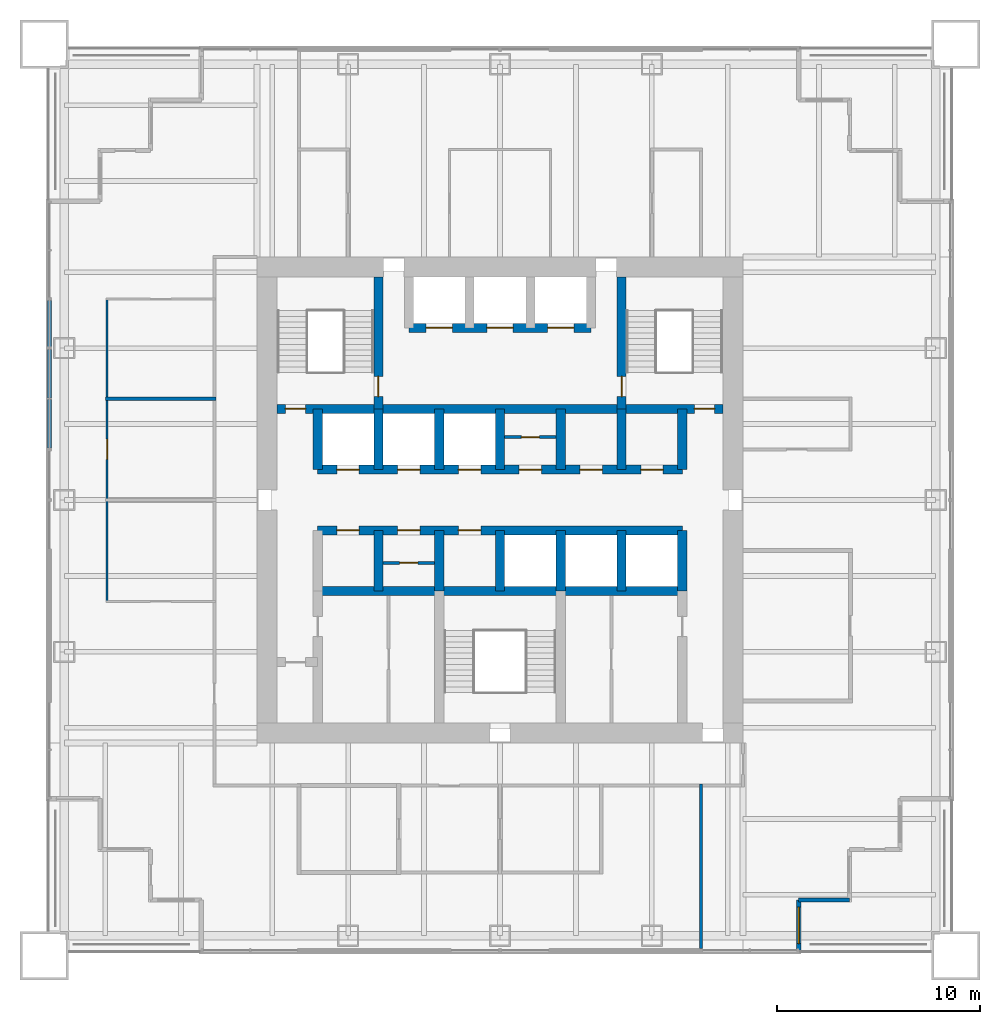
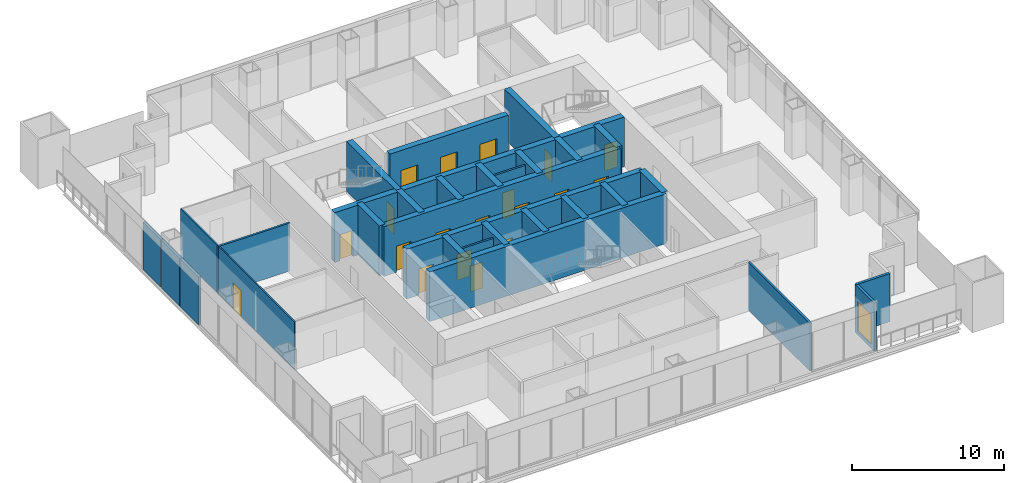
# One storey, part 9 of 13: 30 walls, 19 doors, 1 window, 20 openings.
"""IFC4 building model written with IfcOpenShell, lengths in metres."""

from ifc_helpers import new_model, si_unit, direction, frame, frame_2d, origin, place, context, subcontext, project, spatial, rectangle, extrude, material, layer, layer_set, type_object, element, fill, save


model = new_model("IFC4")

# Units and contexts
model_context = context("Model", 3, precision=1e-05, world=origin(), true_north=direction((0.0, 1.0)))
body_context = subcontext(model_context, "Body", "Model", "MODEL_VIEW")
ifc_project = project(units=[si_unit("LENGTHUNIT", "METRE"), si_unit("AREAUNIT", "SQUARE_METRE"), si_unit("VOLUMEUNIT", "CUBIC_METRE"), si_unit("PLANEANGLEUNIT", "RADIAN"), si_unit("MASSUNIT", "GRAM", prefix="KILO")], contexts=[model_context])

# Site, building, storey
site_placement = place(None, origin())
site = spatial("IfcSite", under=ifc_project, at=site_placement, CompositionType="ELEMENT")
building_placement = place(site_placement, origin())
building = spatial("IfcBuilding", under=site, at=building_placement, Name="Tarangal Relay Tower", CompositionType="ELEMENT")
storey_placement = place(building_placement, frame((0.0, 0.0, 237.89990234375)))
storey = spatial("IfcBuildingStorey", under=building, at=storey_placement, Name="L51", CompositionType="ELEMENT", Elevation=237.89990234375)

# Wall, openings, doors
ifc_material_1 = material(Name="Concrete fc' 60 MPa", Category="concrete")
ifc_layer_1 = layer(ifc_material_1, 0.449951171875)
ifc_layer_set_1 = layer_set([ifc_layer_1], Name="Core inner wall 450")
wall_type_1 = type_object("IfcWallType", Name="Core inner wall 450", PredefinedType="SHEAR", material=ifc_layer_set_1)
wall_1_placement = place(storey_placement, frame((-11.0, 4.5, 0.0), z_axis=(0.0, 0.0, 1.0), x_axis=(1.0, 0.0, 0.0)))
wall_1 = element("IfcWall", 1, at=wall_1_placement, inside=storey, type_object=wall_type_1, Name="Core wall Y45 L51", PredefinedType="SHEAR", context=body_context, shape_type="SweptSolid", body=[
    extrude(rectangle(XDim=22.0, YDim=0.449951171875, at=frame_2d((11.0, 0.0))), origin(), (0.0, 0.0, 1.0), 4.0),
])
opening_1_placement = place(wall_1_placement, frame((0.39990234375, 0.0, 0.0)))
opening_1 = element("IfcOpeningElement", 2, at=opening_1_placement, cuts=wall_1, Name="Opening FD1", PredefinedType="OPENING", context=body_context, shape_type="SweptSolid", body=[
    extrude(rectangle(XDim=1.0, YDim=2.10009765625, at=frame_2d((0.5, 1.050048828125))), frame((0.0, 0.23486328125, 0.0), z_axis=(0.0, -1.0, 0.0), x_axis=(1.0, 0.0, 0.0)), (0.0, 0.0, 1.0), 0.469970703125),
])
opening_2_placement = place(wall_1_placement, frame((20.60009765625, 0.0, 0.0)))
opening_2 = element("IfcOpeningElement", 3, at=opening_2_placement, cuts=wall_1, Name="Opening FD1", PredefinedType="OPENING", context=body_context, shape_type="SweptSolid", body=[
    extrude(rectangle(XDim=1.0, YDim=2.10009765625, at=frame_2d((0.5, 1.050048828125))), frame((0.0, 0.23486328125, 0.0), z_axis=(0.0, -1.0, 0.0), x_axis=(1.0, 0.0, 0.0)), (0.0, 0.0, 1.0), 0.469970703125),
])
ifc_material_2 = material(Name="Steel door with hardwood frame", Category="steel")
door_type_1 = type_object("IfcDoorType", Name="Fire door 1000 x 2100", OperationType="SINGLE_SWING_LEFT", PredefinedType="DOOR", material=ifc_material_2)
door_1_placement = place(opening_1_placement, origin())
door_1 = element("IfcDoor", 4, at=door_1_placement, inside=storey, type_object=door_type_1, Name="Stair ST-A door from corridor L51", OperationType="SINGLE_SWING_LEFT", OverallHeight=2.10009765625, OverallWidth=1.0, PredefinedType="DOOR", context=body_context, shape_type="SweptSolid", body=[
    extrude(rectangle(XDim=1.0, YDim=2.10009765625, at=frame_2d((0.5, 1.050048828125))), frame((0.0, 0.02490234375, 0.0), z_axis=(0.0, -1.0, 0.0), x_axis=(1.0, 0.0, 0.0)), (0.0, 0.0, 1.0), 0.050048828125),
])
fill(opening_1, door_1)
door_2_placement = place(opening_2_placement, origin())
door_2 = element("IfcDoor", 5, at=door_2_placement, inside=storey, type_object=door_type_1, Name="Stair ST-B door from corridor L51", OperationType="SINGLE_SWING_LEFT", OverallHeight=2.10009765625, OverallWidth=1.0, PredefinedType="DOOR", context=body_context, shape_type="SweptSolid", body=[
    extrude(rectangle(XDim=1.0, YDim=2.10009765625, at=frame_2d((0.5, 1.050048828125))), frame((0.0, 0.02490234375, 0.0), z_axis=(0.0, -1.0, 0.0), x_axis=(1.0, 0.0, 0.0)), (0.0, 0.0, 1.0), 0.050048828125),
])
fill(opening_2, door_2)

wall_2_placement = place(storey_placement, frame((-9.0, 1.5, 0.0), z_axis=(0.0, 0.0, 1.0), x_axis=(1.0, 0.0, 0.0)))
wall_2 = element("IfcWall", 6, at=wall_2_placement, inside=storey, type_object=wall_type_1, Name="Core wall Y15 L51", PredefinedType="SHEAR", context=body_context, shape_type="SweptSolid", body=[
    extrude(rectangle(XDim=18.0, YDim=0.449951171875, at=frame_2d((9.0, 0.0))), origin(), (0.0, 0.0, 1.0), 4.0),
])
opening_3_placement = place(wall_2_placement, frame((0.949951171875, 0.0, 0.0)))
opening_3 = element("IfcOpeningElement", 7, at=opening_3_placement, cuts=wall_2, Name="Opening LD1", PredefinedType="OPENING", context=body_context, shape_type="SweptSolid", body=[
    extrude(rectangle(XDim=1.10009765625, YDim=2.10009765625, at=frame_2d((0.550048828125, 1.050048828125))), frame((0.0, 0.23486328125, 0.0), z_axis=(0.0, -1.0, 0.0), x_axis=(1.0, 0.0, 0.0)), (0.0, 0.0, 1.0), 0.469970703125),
])
opening_4_placement = place(wall_2_placement, frame((3.949951171875, 0.0, 0.0)))
opening_4 = element("IfcOpeningElement", 8, at=opening_4_placement, cuts=wall_2, Name="Opening LD1", PredefinedType="OPENING", context=body_context, shape_type="SweptSolid", body=[
    extrude(rectangle(XDim=1.10009765625, YDim=2.10009765625, at=frame_2d((0.550048828125, 1.050048828125))), frame((0.0, 0.23486328125, 0.0), z_axis=(0.0, -1.0, 0.0), x_axis=(1.0, 0.0, 0.0)), (0.0, 0.0, 1.0), 0.469970703125),
])
opening_5_placement = place(wall_2_placement, frame((6.949951171875, 0.0, 0.0)))
opening_5 = element("IfcOpeningElement", 9, at=opening_5_placement, cuts=wall_2, Name="Opening LD1", PredefinedType="OPENING", context=body_context, shape_type="SweptSolid", body=[
    extrude(rectangle(XDim=1.10009765625, YDim=2.10009765625, at=frame_2d((0.550048828125, 1.050048828125))), frame((0.0, 0.23486328125, 0.0), z_axis=(0.0, -1.0, 0.0), x_axis=(1.0, 0.0, 0.0)), (0.0, 0.0, 1.0), 0.469970703125),
])
opening_6_placement = place(wall_2_placement, frame((9.949951171875, 0.0, 0.0)))
opening_6 = element("IfcOpeningElement", 10, at=opening_6_placement, cuts=wall_2, Name="Opening D4", PredefinedType="OPENING", context=body_context, shape_type="SweptSolid", body=[
    extrude(rectangle(XDim=1.10009765625, YDim=2.10009765625, at=frame_2d((0.550048828125, 1.050048828125))), frame((0.0, 0.23486328125, 0.0), z_axis=(0.0, -1.0, 0.0), x_axis=(1.0, 0.0, 0.0)), (0.0, 0.0, 1.0), 0.469970703125),
])
opening_7_placement = place(wall_2_placement, frame((12.949951171875, 0.0, 0.0)))
opening_7 = element("IfcOpeningElement", 11, at=opening_7_placement, cuts=wall_2, Name="Opening D4", PredefinedType="OPENING", context=body_context, shape_type="SweptSolid", body=[
    extrude(rectangle(XDim=1.10009765625, YDim=2.10009765625, at=frame_2d((0.550048828125, 1.050048828125))), frame((0.0, 0.23486328125, 0.0), z_axis=(0.0, -1.0, 0.0), x_axis=(1.0, 0.0, 0.0)), (0.0, 0.0, 1.0), 0.469970703125),
])
opening_8_placement = place(wall_2_placement, frame((15.949951171875, 0.0, 0.0)))
opening_8 = element("IfcOpeningElement", 12, at=opening_8_placement, cuts=wall_2, Name="Opening D4", PredefinedType="OPENING", context=body_context, shape_type="SweptSolid", body=[
    extrude(rectangle(XDim=1.10009765625, YDim=2.10009765625, at=frame_2d((0.550048828125, 1.050048828125))), frame((0.0, 0.23486328125, 0.0), z_axis=(0.0, -1.0, 0.0), x_axis=(1.0, 0.0, 0.0)), (0.0, 0.0, 1.0), 0.469970703125),
])
door_type_2 = type_object("IfcDoorType", Name="Core room door 1100 x 2100", OperationType="SINGLE_SWING_RIGHT", PredefinedType="DOOR", material=ifc_material_2)
door_3_placement = place(opening_6_placement, origin())
door_3 = element("IfcDoor", 13, at=door_3_placement, inside=storey, type_object=door_type_2, Name="Door D4 to it room L51-T1", OperationType="SINGLE_SWING_RIGHT", OverallHeight=2.10009765625, OverallWidth=1.10009765625, PredefinedType="DOOR", context=body_context, shape_type="SweptSolid", body=[
    extrude(rectangle(XDim=1.10009765625, YDim=2.10009765625, at=frame_2d((0.550048828125, 1.050048828125))), frame((0.0, 0.02490234375, 0.0), z_axis=(0.0, -1.0, 0.0), x_axis=(1.0, 0.0, 0.0)), (0.0, 0.0, 1.0), 0.050048828125),
])
fill(opening_6, door_3)
door_4_placement = place(opening_7_placement, origin())
door_4 = element("IfcDoor", 14, at=door_4_placement, inside=storey, type_object=door_type_2, Name="Door D4 to cleaner's store L51-T2", OperationType="SINGLE_SWING_RIGHT", OverallHeight=2.10009765625, OverallWidth=1.10009765625, PredefinedType="DOOR", context=body_context, shape_type="SweptSolid", body=[
    extrude(rectangle(XDim=1.10009765625, YDim=2.10009765625, at=frame_2d((0.550048828125, 1.050048828125))), frame((0.0, 0.02490234375, 0.0), z_axis=(0.0, -1.0, 0.0), x_axis=(1.0, 0.0, 0.0)), (0.0, 0.0, 1.0), 0.050048828125),
])
fill(opening_7, door_4)
door_5_placement = place(opening_8_placement, origin())
door_5 = element("IfcDoor", 15, at=door_5_placement, inside=storey, type_object=door_type_2, Name="Door D4 to staff wc L51-T3", OperationType="SINGLE_SWING_RIGHT", OverallHeight=2.10009765625, OverallWidth=1.10009765625, PredefinedType="DOOR", context=body_context, shape_type="SweptSolid", body=[
    extrude(rectangle(XDim=1.10009765625, YDim=2.10009765625, at=frame_2d((0.550048828125, 1.050048828125))), frame((0.0, 0.02490234375, 0.0), z_axis=(0.0, -1.0, 0.0), x_axis=(1.0, 0.0, 0.0)), (0.0, 0.0, 1.0), 0.050048828125),
])
fill(opening_8, door_5)
door_type_3 = type_object("IfcDoorType", Name="Lift landing door 1100 x 2100", OperationType="SLIDING_TO_LEFT", PredefinedType="DOOR", material=ifc_material_2)
door_6_placement = place(opening_3_placement, origin())
door_6 = element("IfcDoor", 16, at=door_6_placement, inside=storey, type_object=door_type_3, Name="Lift OL1 landing door L51", OperationType="SLIDING_TO_LEFT", OverallHeight=2.10009765625, OverallWidth=1.10009765625, PredefinedType="DOOR", context=body_context, shape_type="SweptSolid", body=[
    extrude(rectangle(XDim=1.10009765625, YDim=2.10009765625, at=frame_2d((0.550048828125, 1.050048828125))), frame((0.0, 0.02490234375, 0.0), z_axis=(0.0, -1.0, 0.0), x_axis=(1.0, 0.0, 0.0)), (0.0, 0.0, 1.0), 0.050048828125),
])
fill(opening_3, door_6)
door_7_placement = place(opening_4_placement, origin())
door_7 = element("IfcDoor", 17, at=door_7_placement, inside=storey, type_object=door_type_3, Name="Lift OL2 landing door L51", OperationType="SLIDING_TO_LEFT", OverallHeight=2.10009765625, OverallWidth=1.10009765625, PredefinedType="DOOR", context=body_context, shape_type="SweptSolid", body=[
    extrude(rectangle(XDim=1.10009765625, YDim=2.10009765625, at=frame_2d((0.550048828125, 1.050048828125))), frame((0.0, 0.02490234375, 0.0), z_axis=(0.0, -1.0, 0.0), x_axis=(1.0, 0.0, 0.0)), (0.0, 0.0, 1.0), 0.050048828125),
])
fill(opening_4, door_7)
door_8_placement = place(opening_5_placement, origin())
door_8 = element("IfcDoor", 18, at=door_8_placement, inside=storey, type_object=door_type_3, Name="Lift OL3 landing door L51", OperationType="SLIDING_TO_LEFT", OverallHeight=2.10009765625, OverallWidth=1.10009765625, PredefinedType="DOOR", context=body_context, shape_type="SweptSolid", body=[
    extrude(rectangle(XDim=1.10009765625, YDim=2.10009765625, at=frame_2d((0.550048828125, 1.050048828125))), frame((0.0, 0.02490234375, 0.0), z_axis=(0.0, -1.0, 0.0), x_axis=(1.0, 0.0, 0.0)), (0.0, 0.0, 1.0), 0.050048828125),
])
fill(opening_5, door_8)

wall_3_placement = place(storey_placement, frame((-9.0, -1.5, 0.0), z_axis=(0.0, 0.0, 1.0), x_axis=(1.0, 0.0, 0.0)))
wall_3 = element("IfcWall", 19, at=wall_3_placement, inside=storey, type_object=wall_type_1, Name="Core wall YM15 L51", PredefinedType="SHEAR", context=body_context, shape_type="SweptSolid", body=[
    extrude(rectangle(XDim=18.0, YDim=0.449951171875, at=frame_2d((9.0, 0.0))), origin(), (0.0, 0.0, 1.0), 4.0),
])
opening_9_placement = place(wall_3_placement, frame((0.949951171875, 0.0, 0.0)))
opening_9 = element("IfcOpeningElement", 20, at=opening_9_placement, cuts=wall_3, Name="Opening D4", PredefinedType="OPENING", context=body_context, shape_type="SweptSolid", body=[
    extrude(rectangle(XDim=1.10009765625, YDim=2.10009765625, at=frame_2d((0.550048828125, 1.050048828125))), frame((0.0, 0.23486328125, 0.0), z_axis=(0.0, -1.0, 0.0), x_axis=(1.0, 0.0, 0.0)), (0.0, 0.0, 1.0), 0.469970703125),
])
opening_10_placement = place(wall_3_placement, frame((3.949951171875, 0.0, 0.0)))
opening_10 = element("IfcOpeningElement", 21, at=opening_10_placement, cuts=wall_3, Name="Opening D4", PredefinedType="OPENING", context=body_context, shape_type="SweptSolid", body=[
    extrude(rectangle(XDim=1.10009765625, YDim=2.10009765625, at=frame_2d((0.550048828125, 1.050048828125))), frame((0.0, 0.23486328125, 0.0), z_axis=(0.0, -1.0, 0.0), x_axis=(1.0, 0.0, 0.0)), (0.0, 0.0, 1.0), 0.469970703125),
])
opening_11_placement = place(wall_3_placement, frame((6.949951171875, 0.0, 0.0)))
opening_11 = element("IfcOpeningElement", 22, at=opening_11_placement, cuts=wall_3, Name="Opening D4", PredefinedType="OPENING", context=body_context, shape_type="SweptSolid", body=[
    extrude(rectangle(XDim=1.10009765625, YDim=2.10009765625, at=frame_2d((0.550048828125, 1.050048828125))), frame((0.0, 0.23486328125, 0.0), z_axis=(0.0, -1.0, 0.0), x_axis=(1.0, 0.0, 0.0)), (0.0, 0.0, 1.0), 0.469970703125),
])
door_9_placement = place(opening_9_placement, origin())
door_9 = element("IfcDoor", 23, at=door_9_placement, inside=storey, type_object=door_type_2, Name="Door D4 to staff pantry L51-S1", OperationType="SINGLE_SWING_RIGHT", OverallHeight=2.10009765625, OverallWidth=1.10009765625, PredefinedType="DOOR", context=body_context, shape_type="SweptSolid", body=[
    extrude(rectangle(XDim=1.10009765625, YDim=2.10009765625, at=frame_2d((0.550048828125, 1.050048828125))), frame((0.0, 0.02490234375, 0.0), z_axis=(0.0, -1.0, 0.0), x_axis=(1.0, 0.0, 0.0)), (0.0, 0.0, 1.0), 0.050048828125),
])
fill(opening_9, door_9)
door_10_placement = place(opening_10_placement, origin())
door_10 = element("IfcDoor", 24, at=door_10_placement, inside=storey, type_object=door_type_2, Name="Door D4 to it room L51-S2", OperationType="SINGLE_SWING_RIGHT", OverallHeight=2.10009765625, OverallWidth=1.10009765625, PredefinedType="DOOR", context=body_context, shape_type="SweptSolid", body=[
    extrude(rectangle(XDim=1.10009765625, YDim=2.10009765625, at=frame_2d((0.550048828125, 1.050048828125))), frame((0.0, 0.02490234375, 0.0), z_axis=(0.0, -1.0, 0.0), x_axis=(1.0, 0.0, 0.0)), (0.0, 0.0, 1.0), 0.050048828125),
])
fill(opening_10, door_10)
door_11_placement = place(opening_11_placement, origin())
door_11 = element("IfcDoor", 25, at=door_11_placement, inside=storey, type_object=door_type_2, Name="Door D4 to cleaner's store L51-S3", OperationType="SINGLE_SWING_RIGHT", OverallHeight=2.10009765625, OverallWidth=1.10009765625, PredefinedType="DOOR", context=body_context, shape_type="SweptSolid", body=[
    extrude(rectangle(XDim=1.10009765625, YDim=2.10009765625, at=frame_2d((0.550048828125, 1.050048828125))), frame((0.0, 0.02490234375, 0.0), z_axis=(0.0, -1.0, 0.0), x_axis=(1.0, 0.0, 0.0)), (0.0, 0.0, 1.0), 0.050048828125),
])
fill(opening_11, door_11)

# Wall
wall_4_placement = place(storey_placement, frame((-9.0, -4.5, 0.0), z_axis=(0.0, 0.0, 1.0), x_axis=(1.0, 0.0, 0.0)))
element("IfcWall", 26, at=wall_4_placement, inside=storey, type_object=wall_type_1, Name="Core wall YM45 L51", PredefinedType="SHEAR", context=body_context, shape_type="SweptSolid", body=[
    extrude(rectangle(XDim=18.0, YDim=0.449951171875, at=frame_2d((9.0, 0.0))), origin(), (0.0, 0.0, 1.0), 4.0),
])

# Wall, openings, doors
wall_5_placement = place(storey_placement, frame((-4.5, 8.5, 0.0), z_axis=(0.0, 0.0, 1.0), x_axis=(1.0, 0.0, 0.0)))
wall_5 = element("IfcWall", 27, at=wall_5_placement, inside=storey, type_object=wall_type_1, Name="Core wall Y85 L51", PredefinedType="SHEAR", context=body_context, shape_type="SweptSolid", body=[
    extrude(rectangle(XDim=9.0, YDim=0.449951171875, at=frame_2d((4.5, 0.0))), origin(), (0.0, 0.0, 1.0), 4.0),
])
opening_12_placement = place(wall_5_placement, frame((0.85009765625, 0.0, 0.0)))
opening_12 = element("IfcOpeningElement", 28, at=opening_12_placement, cuts=wall_5, Name="Opening LD2", PredefinedType="OPENING", context=body_context, shape_type="SweptSolid", body=[
    extrude(rectangle(XDim=1.300048828125, YDim=2.39990234375, at=frame_2d((0.64990234375, 1.199951171875))), frame((0.0, 0.23486328125, 0.0), z_axis=(0.0, -1.0, 0.0), x_axis=(1.0, 0.0, 0.0)), (0.0, 0.0, 1.0), 0.469970703125),
])
opening_13_placement = place(wall_5_placement, frame((6.85009765625, 0.0, 0.0)))
opening_13 = element("IfcOpeningElement", 29, at=opening_13_placement, cuts=wall_5, Name="Opening LD2", PredefinedType="OPENING", context=body_context, shape_type="SweptSolid", body=[
    extrude(rectangle(XDim=1.300048828125, YDim=2.39990234375, at=frame_2d((0.64990234375, 1.199951171875))), frame((0.0, 0.23486328125, 0.0), z_axis=(0.0, -1.0, 0.0), x_axis=(1.0, 0.0, 0.0)), (0.0, 0.0, 1.0), 0.469970703125),
])
opening_14_placement = place(wall_5_placement, frame((3.85009765625, 0.0, 0.0)))
opening_14 = element("IfcOpeningElement", 30, at=opening_14_placement, cuts=wall_5, Name="Opening LD2", PredefinedType="OPENING", context=body_context, shape_type="SweptSolid", body=[
    extrude(rectangle(XDim=1.300048828125, YDim=2.39990234375, at=frame_2d((0.64990234375, 1.199951171875))), frame((0.0, 0.23486328125, 0.0), z_axis=(0.0, -1.0, 0.0), x_axis=(1.0, 0.0, 0.0)), (0.0, 0.0, 1.0), 0.469970703125),
])
door_type_4 = type_object("IfcDoorType", Name="Lift landing door 1300 x 2400", OperationType="SLIDING_TO_LEFT", PredefinedType="DOOR", material=ifc_material_2)
door_12_placement = place(opening_12_placement, origin())
door_12 = element("IfcDoor", 31, at=door_12_placement, inside=storey, type_object=door_type_4, Name="Lift FF1 landing door L51", OperationType="SLIDING_TO_LEFT", OverallHeight=2.39990234375, OverallWidth=1.300048828125, PredefinedType="DOOR", context=body_context, shape_type="SweptSolid", body=[
    extrude(rectangle(XDim=1.300048828125, YDim=2.39990234375, at=frame_2d((0.64990234375, 1.199951171875))), frame((0.0, 0.02490234375, 0.0), z_axis=(0.0, -1.0, 0.0), x_axis=(1.0, 0.0, 0.0)), (0.0, 0.0, 1.0), 0.050048828125),
])
fill(opening_12, door_12)
door_13_placement = place(opening_13_placement, origin())
door_13 = element("IfcDoor", 32, at=door_13_placement, inside=storey, type_object=door_type_4, Name="Lift FF2 landing door L51", OperationType="SLIDING_TO_LEFT", OverallHeight=2.39990234375, OverallWidth=1.300048828125, PredefinedType="DOOR", context=body_context, shape_type="SweptSolid", body=[
    extrude(rectangle(XDim=1.300048828125, YDim=2.39990234375, at=frame_2d((0.64990234375, 1.199951171875))), frame((0.0, 0.02490234375, 0.0), z_axis=(0.0, -1.0, 0.0), x_axis=(1.0, 0.0, 0.0)), (0.0, 0.0, 1.0), 0.050048828125),
])
fill(opening_13, door_13)
door_14_placement = place(opening_14_placement, origin())
door_14 = element("IfcDoor", 33, at=door_14_placement, inside=storey, type_object=door_type_4, Name="Lift SV1 landing door L51", OperationType="SLIDING_TO_LEFT", OverallHeight=2.39990234375, OverallWidth=1.300048828125, PredefinedType="DOOR", context=body_context, shape_type="SweptSolid", body=[
    extrude(rectangle(XDim=1.300048828125, YDim=2.39990234375, at=frame_2d((0.64990234375, 1.199951171875))), frame((0.0, 0.02490234375, 0.0), z_axis=(0.0, -1.0, 0.0), x_axis=(1.0, 0.0, 0.0)), (0.0, 0.0, 1.0), 0.050048828125),
])
fill(opening_14, door_14)

# Walls
for number, where, z_axis, x_axis, name in (
    (34, (-9.0, 1.5, 0.0), (0.0, 0.0, 1.0), (0.0, 1.0, 0.0), "Core wall XM9N L51"),
    (35, (9.0, 1.5, 0.0), (0.0, 0.0, 1.0), (0.0, 1.0, 0.0), "Core wall X9N L51"),
    (36, (9.0, -4.5, 0.0), (0.0, 0.0, 1.0), (0.0, 1.0, 0.0), "Core wall X9S L51"),
    (37, (-6.0, 1.5, 0.0), (0.0, 0.0, 1.0), (0.0, 1.0, 0.0), "Core wall XM6N L51"),
    (38, (-3.0, 1.5, 0.0), (0.0, 0.0, 1.0), (0.0, 1.0, 0.0), "Core wall XM3N L51"),
    (39, (0.0, 1.5, 0.0), (0.0, 0.0, 1.0), (0.0, 1.0, 0.0), "Core wall X0N L51"),
    (40, (3.0, 1.5, 0.0), (0.0, 0.0, 1.0), (0.0, 1.0, 0.0), "Core wall X3N L51"),
    (41, (6.0, 1.5, 0.0), (0.0, 0.0, 1.0), (0.0, 1.0, 0.0), "Core wall X6N L51"),
    (42, (-6.0, -4.5, 0.0), (0.0, 0.0, 1.0), (0.0, 1.0, 0.0), "Core wall XM6S L51"),
    (43, (-3.0, -4.5, 0.0), (0.0, 0.0, 1.0), (0.0, 1.0, 0.0), "Core wall XM3S L51"),
    (44, (0.0, -4.5, 0.0), (0.0, 0.0, 1.0), (0.0, 1.0, 0.0), "Core wall X0S L51"),
    (45, (3.0, -4.5, 0.0), (0.0, 0.0, 1.0), (0.0, 1.0, 0.0), "Core wall X3S L51"),
    (46, (6.0, -4.5, 0.0), (0.0, 0.0, 1.0), (0.0, 1.0, 0.0), "Core wall X6S L51"),
):
    element("IfcWall", number, at=place(storey_placement, frame(where, z_axis=z_axis, x_axis=x_axis)), inside=storey, type_object=wall_type_1, Name=name, PredefinedType="SHEAR", context=body_context, shape_type="SweptSolid", body=[
        extrude(rectangle(XDim=3.0, YDim=0.449951171875, at=frame_2d((1.5, 0.0))), origin(), (0.0, 0.0, 1.0), 4.0),
    ])

# Wall, opening, door
wall_6_placement = place(storey_placement, frame((-6.0, 4.5, 0.0), z_axis=(0.0, 0.0, 1.0), x_axis=(0.0, 1.0, 0.0)))
wall_6 = element("IfcWall", 47, at=wall_6_placement, inside=storey, type_object=wall_type_1, Name="Core wall XM6 L51", PredefinedType="SHEAR", context=body_context, shape_type="SweptSolid", body=[
    extrude(rectangle(XDim=6.5, YDim=0.449951171875, at=frame_2d((3.25, 0.0))), origin(), (0.0, 0.0, 1.0), 4.0),
])
opening_15_placement = place(wall_6_placement, frame((0.60009765625, 0.0, 0.0)))
opening_15 = element("IfcOpeningElement", 48, at=opening_15_placement, cuts=wall_6, Name="Opening FD1", PredefinedType="OPENING", context=body_context, shape_type="SweptSolid", body=[
    extrude(rectangle(XDim=1.0, YDim=2.10009765625, at=frame_2d((0.5, 1.050048828125))), frame((0.0, 0.23486328125, 0.0), z_axis=(0.0, -1.0, 0.0), x_axis=(1.0, 0.0, 0.0)), (0.0, 0.0, 1.0), 0.469970703125),
])
door_15_placement = place(opening_15_placement, origin())
door_15 = element("IfcDoor", 49, at=door_15_placement, inside=storey, type_object=door_type_1, Name="Stair ST-A door from fire-fighting lobby L51", OperationType="SINGLE_SWING_LEFT", OverallHeight=2.10009765625, OverallWidth=1.0, PredefinedType="DOOR", context=body_context, shape_type="SweptSolid", body=[
    extrude(rectangle(XDim=1.0, YDim=2.10009765625, at=frame_2d((0.5, 1.050048828125))), frame((0.0, 0.02490234375, 0.0), z_axis=(0.0, -1.0, 0.0), x_axis=(1.0, 0.0, 0.0)), (0.0, 0.0, 1.0), 0.050048828125),
])
fill(opening_15, door_15)

wall_7_placement = place(storey_placement, frame((6.0, 4.5, 0.0), z_axis=(0.0, 0.0, 1.0), x_axis=(0.0, 1.0, 0.0)))
wall_7 = element("IfcWall", 50, at=wall_7_placement, inside=storey, type_object=wall_type_1, Name="Core wall X6 L51", PredefinedType="SHEAR", context=body_context, shape_type="SweptSolid", body=[
    extrude(rectangle(XDim=6.5, YDim=0.449951171875, at=frame_2d((3.25, 0.0))), origin(), (0.0, 0.0, 1.0), 4.0),
])
opening_16_placement = place(wall_7_placement, frame((0.60009765625, 0.0, 0.0)))
opening_16 = element("IfcOpeningElement", 51, at=opening_16_placement, cuts=wall_7, Name="Opening FD1", PredefinedType="OPENING", context=body_context, shape_type="SweptSolid", body=[
    extrude(rectangle(XDim=1.0, YDim=2.10009765625, at=frame_2d((0.5, 1.050048828125))), frame((0.0, 0.23486328125, 0.0), z_axis=(0.0, -1.0, 0.0), x_axis=(1.0, 0.0, 0.0)), (0.0, 0.0, 1.0), 0.469970703125),
])
door_16_placement = place(opening_16_placement, origin())
door_16 = element("IfcDoor", 52, at=door_16_placement, inside=storey, type_object=door_type_1, Name="Stair ST-B door from fire-fighting lobby L51", OperationType="SINGLE_SWING_LEFT", OverallHeight=2.10009765625, OverallWidth=1.0, PredefinedType="DOOR", context=body_context, shape_type="SweptSolid", body=[
    extrude(rectangle(XDim=1.0, YDim=2.10009765625, at=frame_2d((0.5, 1.050048828125))), frame((0.0, 0.02490234375, 0.0), z_axis=(0.0, -1.0, 0.0), x_axis=(1.0, 0.0, 0.0)), (0.0, 0.0, 1.0), 0.050048828125),
])
fill(opening_16, door_16)

# Wall
ifc_material_3 = material(Name="Black metal clad insulated wall", Category="steel")
ifc_layer_2 = layer(ifc_material_3, 0.199951171875)
ifc_layer_set_2 = layer_set([ifc_layer_2], Name="Corner wall metal clad 200")
wall_type_2 = type_object("IfcWallType", Name="Corner wall metal clad 200", PredefinedType="SOLIDWALL", material=ifc_layer_set_2)
wall_8_placement = place(storey_placement, frame((17.25, -19.75, 0.0), z_axis=(0.0, 0.0, 1.0), x_axis=(-1.0, 0.0, 0.0)))
element("IfcWall", 53, at=wall_8_placement, inside=storey, type_object=wall_type_2, Name="Facade wall E facade L51", PredefinedType="SOLIDWALL", context=body_context, shape_type="SweptSolid", body=[
    extrude(rectangle(XDim=2.5, YDim=0.199951171875, at=frame_2d((1.25, 0.0))), origin(), (0.0, 0.0, 1.0), 3.85009765625),
])

# Wall, opening, window
wall_9_placement = place(storey_placement, frame((14.75, -19.75, 0.0), z_axis=(0.0, 0.0, 1.0), x_axis=(0.0, -1.0, 0.0)))
wall_9 = element("IfcWall", 54, at=wall_9_placement, inside=storey, type_object=wall_type_2, Name="Facade wall E facade L51", PredefinedType="SOLIDWALL", context=body_context, shape_type="SweptSolid", body=[
    extrude(rectangle(XDim=2.5, YDim=0.199951171875, at=frame_2d((1.25, 0.0))), origin(), (0.0, 0.0, 1.0), 3.85009765625),
])
opening_17_placement = place(wall_9_placement, frame((0.35009765625, 0.0, 0.300048828125)))
opening_17 = element("IfcOpeningElement", 55, at=opening_17_placement, cuts=wall_9, Name="Opening WN2", PredefinedType="OPENING", context=body_context, shape_type="SweptSolid", body=[
    extrude(rectangle(XDim=1.800048828125, YDim=2.39990234375, at=frame_2d((0.89990234375, 1.199951171875))), frame((0.0, 0.10986328125, 0.0), z_axis=(0.0, -1.0, 0.0), x_axis=(1.0, 0.0, 0.0)), (0.0, 0.0, 1.0), 0.219970703125),
])
ifc_material_4 = material(Name="Dark tinted double glazing in black aluminium frame", Category="aluminium")
window_type = type_object("IfcWindowType", Name="Corner window 1800 x 2400", PartitioningType="SINGLE_PANEL", PredefinedType="WINDOW", material=ifc_material_4)
window_placement = place(opening_17_placement, origin())
window = element("IfcWindow", 56, at=window_placement, inside=storey, type_object=window_type, Name="Corner window WN2 E facade L51", OverallHeight=2.39990234375, OverallWidth=1.800048828125, PartitioningType="SINGLE_PANEL", PredefinedType="WINDOW", context=body_context, shape_type="SweptSolid", body=[
    extrude(rectangle(XDim=1.800048828125, YDim=2.39990234375, at=frame_2d((0.89990234375, 1.199951171875))), frame((0.0, 0.030029296875, 0.0), z_axis=(0.0, -1.0, 0.0), x_axis=(1.0, 0.0, 0.0)), (0.0, 0.0, 1.0), 0.06005859375),
])
fill(opening_17, window)

# Walls
ifc_layer_3 = layer(ifc_material_3, 0.199951171875)
ifc_layer_set_3 = layer_set([ifc_layer_3], Name="Facade infill wall metal clad 200")
wall_type_3 = type_object("IfcWallType", Name="Facade infill wall metal clad 200", PredefinedType="SOLIDWALL", material=ifc_layer_set_3)
for number, where, z_axis, x_axis, name in (
    (57, (-22.25, 2.56494140625, 0.0), (0.0, 0.0, 1.0), (0.0, 1.0, 0.0), "Facade infill wall W facade L51 1.1"),
    (58, (-22.25, 5.032470703125, 0.0), (0.0, 0.0, 1.0), (0.0, 1.0, 0.0), "Facade infill wall W facade L51 2.1"),
):
    element("IfcWall", number, at=place(storey_placement, frame(where, z_axis=z_axis, x_axis=x_axis)), inside=storey, type_object=wall_type_3, Name=name, PredefinedType="SOLIDWALL", context=body_context, shape_type="SweptSolid", body=[
        extrude(rectangle(XDim=2.402587890625, YDim=0.199951171875, at=frame_2d((1.201171875, 0.0))), origin(), (0.0, 0.0, 1.0), 3.85009765625),
    ])
wall_10_placement = place(storey_placement, frame((-22.25, 7.56494140625, 0.0), z_axis=(0.0, 0.0, 1.0), x_axis=(0.0, 1.0, 0.0)))
element("IfcWall", 59, at=wall_10_placement, inside=storey, type_object=wall_type_3, Name="Facade infill wall W facade L51 1.1", PredefinedType="SOLIDWALL", context=body_context, shape_type="SweptSolid", body=[
    extrude(rectangle(XDim=2.286865234375, YDim=0.199951171875, at=frame_2d((1.1435546875, 0.0))), origin(), (0.0, 0.0, 1.0), 3.85009765625),
])

# Wall, opening, door
ifc_material_5 = material(Name="Double glazed aluminium framed partition", Category="aluminium")
ifc_layer_4 = layer(ifc_material_5, 0.10009765625)
ifc_layer_set_4 = layer_set([ifc_layer_4], Name="Glazed partition 100")
wall_type_4 = type_object("IfcWallType", Name="Glazed partition 100", PredefinedType="PARTITIONING", material=ifc_layer_set_4)
wall_11_placement = place(storey_placement, frame((-19.39990234375, -5.050048828125, 0.0), z_axis=(0.0, 0.0, 1.0), x_axis=(0.0, 1.0, 0.0)))
wall_11 = element("IfcWall", 60, at=wall_11_placement, inside=storey, type_object=wall_type_4, Name="Partition PT3 L51", PredefinedType="PARTITIONING", context=body_context, shape_type="SweptSolid", body=[
    extrude(rectangle(XDim=15.01708984375, YDim=0.10009765625, at=frame_2d((7.508544921875, 0.0))), origin(), (0.0, 0.0, 1.0), 3.85009765625),
])
opening_18_placement = place(wall_11_placement, frame((7.050048828125, 0.0, 0.0)))
opening_18 = element("IfcOpeningElement", 61, at=opening_18_placement, cuts=wall_11, Name="Opening D3", PredefinedType="OPENING", context=body_context, shape_type="SweptSolid", body=[
    extrude(rectangle(XDim=1.0, YDim=2.10009765625, at=frame_2d((0.5, 1.050048828125))), frame((0.0, 0.06005859375, 0.0), z_axis=(0.0, -1.0, 0.0), x_axis=(1.0, 0.0, 0.0)), (0.0, 0.0, 1.0), 0.1201171875),
])
ifc_material_6 = material(Name="Frameless glass door", Category="glass")
door_type_5 = type_object("IfcDoorType", Name="Glazed door 1000 x 2100", OperationType="SINGLE_SWING_LEFT", PredefinedType="DOOR", material=ifc_material_6)
door_17_placement = place(opening_18_placement, origin())
door_17 = element("IfcDoor", 62, at=door_17_placement, inside=storey, type_object=door_type_5, Name="Door D3 to meeting room L51-11", OperationType="SINGLE_SWING_LEFT", OverallHeight=2.10009765625, OverallWidth=1.0, PredefinedType="DOOR", context=body_context, shape_type="SweptSolid", body=[
    extrude(rectangle(XDim=1.0, YDim=2.10009765625, at=frame_2d((0.5, 1.050048828125))), frame((0.0, 0.02490234375, 0.0), z_axis=(0.0, -1.0, 0.0), x_axis=(1.0, 0.0, 0.0)), (0.0, 0.0, 1.0), 0.050048828125),
])
fill(opening_18, door_17)

# Walls
ifc_material_7 = material(Name="Gypsum board on steel studs", Category="steel")
ifc_layer_5 = layer(ifc_material_7, 0.14990234375)
ifc_layer_set_5 = layer_set([ifc_layer_5], Name="Partition 150")
wall_type_5 = type_object("IfcWallType", Name="Partition 150", PredefinedType="PARTITIONING", material=ifc_layer_set_5)
wall_12_placement = place(storey_placement, frame((-19.47509765625, 5.0, 0.0), z_axis=(0.0, 0.0, 1.0), x_axis=(1.0, 0.0, 0.0)))
element("IfcWall", 63, at=wall_12_placement, inside=storey, type_object=wall_type_5, Name="Partition PT1 L51", PredefinedType="PARTITIONING", context=body_context, shape_type="SweptSolid", body=[
    extrude(rectangle(XDim=5.4501953125, YDim=0.14990234375, at=frame_2d((2.72509765625, 0.0))), origin(), (0.0, 0.0, 1.0), 3.85009765625),
])
wall_13_placement = place(storey_placement, frame((9.9169921875, -22.14990234375, 0.0), z_axis=(0.0, 0.0, 1.0), x_axis=(0.0, 1.0, 0.0)))
element("IfcWall", 64, at=wall_13_placement, inside=storey, type_object=wall_type_5, Name="Partition PT1 L51", PredefinedType="PARTITIONING", context=body_context, shape_type="SweptSolid", body=[
    extrude(rectangle(XDim=8.125, YDim=0.14990234375, at=frame_2d((4.0625, 0.0))), origin(), (0.0, 0.0, 1.0), 3.85009765625),
])

# Wall, opening, door
wall_14_placement = place(storey_placement, frame((0.22509765625, 3.10009765625, 0.0), z_axis=(0.0, 0.0, 1.0), x_axis=(1.0, 0.0, 0.0)))
wall_14 = element("IfcWall", 65, at=wall_14_placement, inside=storey, type_object=wall_type_5, Name="Partition PT1 L51", PredefinedType="PARTITIONING", context=body_context, shape_type="SweptSolid", body=[
    extrude(rectangle(XDim=2.5498046875, YDim=0.14990234375, at=frame_2d((1.27490234375, 0.0))), origin(), (0.0, 0.0, 1.0), 3.75),
])
opening_19_placement = place(wall_14_placement, frame((0.824951171875, 0.0, 0.0)))
opening_19 = element("IfcOpeningElement", 66, at=opening_19_placement, cuts=wall_14, Name="Opening D5", PredefinedType="OPENING", context=body_context, shape_type="SweptSolid", body=[
    extrude(rectangle(XDim=0.89990234375, YDim=2.10009765625, at=frame_2d((0.449951171875, 1.050048828125))), frame((0.0, 0.0849609375, 0.0), z_axis=(0.0, -1.0, 0.0), x_axis=(1.0, 0.0, 0.0)), (0.0, 0.0, 1.0), 0.169921875),
])
ifc_material_8 = material(Name="Hardwood door", Category="wood")
door_type_6 = type_object("IfcDoorType", Name="Cupboard door 900 x 2100", OperationType="SINGLE_SWING_LEFT", PredefinedType="DOOR", material=ifc_material_8)
door_18_placement = place(opening_19_placement, origin())
door_18 = element("IfcDoor", 67, at=door_18_placement, inside=storey, type_object=door_type_6, Name="Door D5 to it patch cupboard L51-T1B", OperationType="SINGLE_SWING_LEFT", OverallHeight=2.10009765625, OverallWidth=0.89990234375, PredefinedType="DOOR", context=body_context, shape_type="SweptSolid", body=[
    extrude(rectangle(XDim=0.89990234375, YDim=2.10009765625, at=frame_2d((0.449951171875, 1.050048828125))), frame((0.0, 0.02490234375, 0.0), z_axis=(0.0, -1.0, 0.0), x_axis=(1.0, 0.0, 0.0)), (0.0, 0.0, 1.0), 0.050048828125),
])
fill(opening_19, door_18)

wall_15_placement = place(storey_placement, frame((-5.77490234375, -3.10009765625, 0.0), z_axis=(0.0, 0.0, 1.0), x_axis=(1.0, 0.0, 0.0)))
wall_15 = element("IfcWall", 68, at=wall_15_placement, inside=storey, type_object=wall_type_5, Name="Partition PT1 L51", PredefinedType="PARTITIONING", context=body_context, shape_type="SweptSolid", body=[
    extrude(rectangle(XDim=2.5498046875, YDim=0.14990234375, at=frame_2d((1.27490234375, 0.0))), origin(), (0.0, 0.0, 1.0), 3.75),
])
opening_20_placement = place(wall_15_placement, frame((0.824951171875, 0.0, 0.0)))
opening_20 = element("IfcOpeningElement", 69, at=opening_20_placement, cuts=wall_15, Name="Opening D5", PredefinedType="OPENING", context=body_context, shape_type="SweptSolid", body=[
    extrude(rectangle(XDim=0.89990234375, YDim=2.10009765625, at=frame_2d((0.449951171875, 1.050048828125))), frame((0.0, 0.0849609375, 0.0), z_axis=(0.0, -1.0, 0.0), x_axis=(1.0, 0.0, 0.0)), (0.0, 0.0, 1.0), 0.169921875),
])
door_19_placement = place(opening_20_placement, origin())
door_19 = element("IfcDoor", 70, at=door_19_placement, inside=storey, type_object=door_type_6, Name="Door D5 to it patch cupboard L51-S2B", OperationType="SINGLE_SWING_LEFT", OverallHeight=2.10009765625, OverallWidth=0.89990234375, PredefinedType="DOOR", context=body_context, shape_type="SweptSolid", body=[
    extrude(rectangle(XDim=0.89990234375, YDim=2.10009765625, at=frame_2d((0.449951171875, 1.050048828125))), frame((0.0, 0.02490234375, 0.0), z_axis=(0.0, -1.0, 0.0), x_axis=(1.0, 0.0, 0.0)), (0.0, 0.0, 1.0), 0.050048828125),
])
fill(opening_20, door_19)

save(model, "model.ifc")
